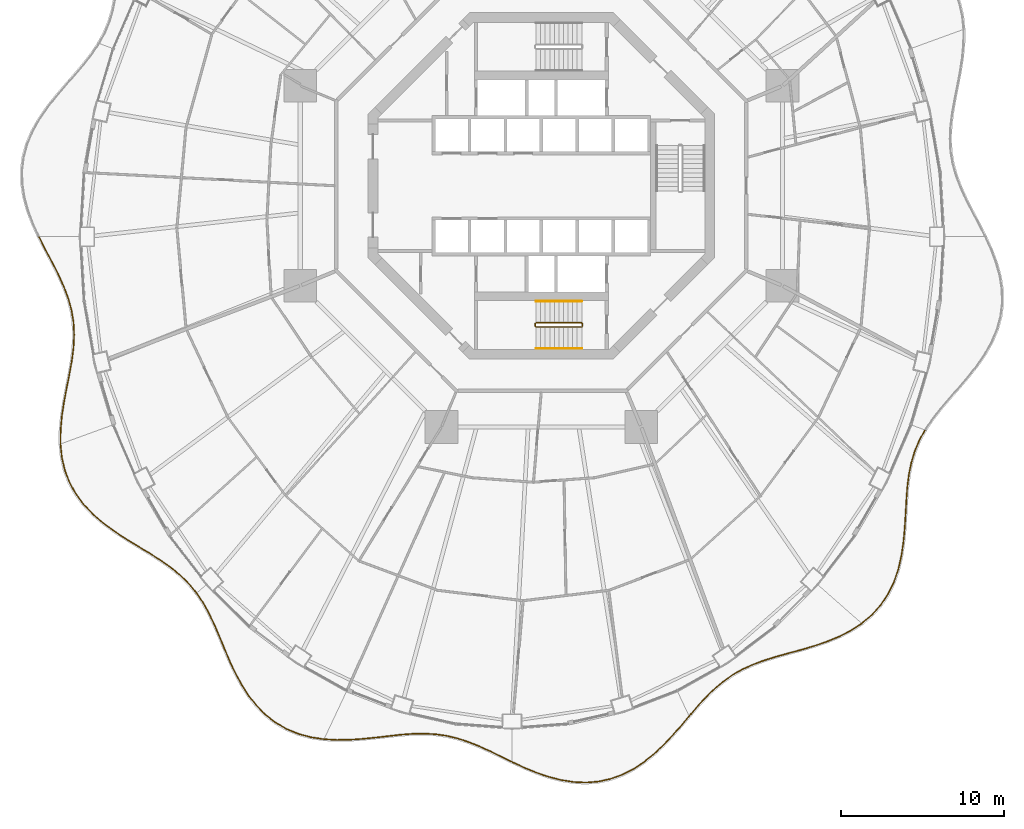
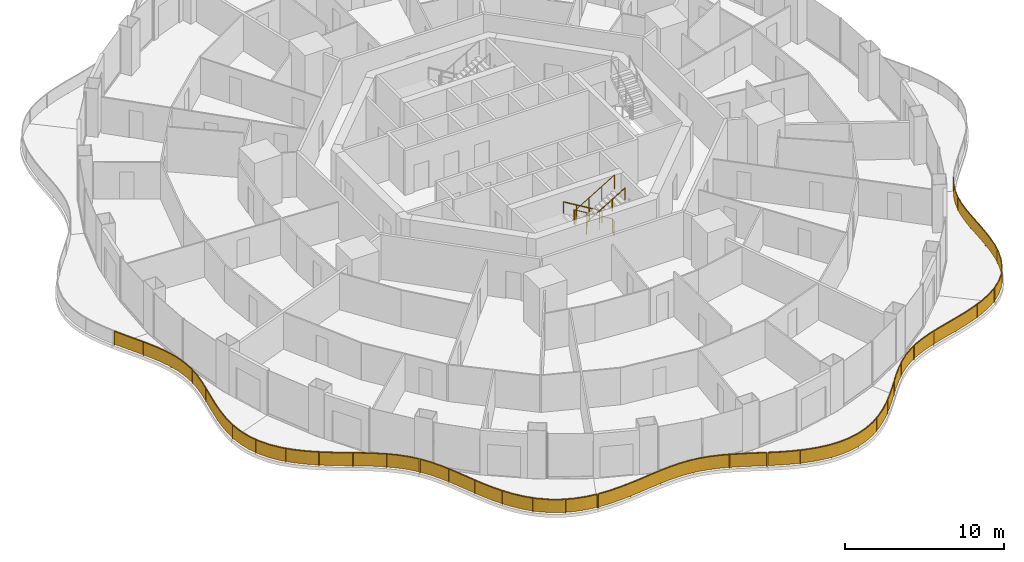
# One storey, part 18 of 20: 10 railings.
"""IFC4 building model written with IfcOpenShell, lengths in metres."""

from ifc_helpers import new_model, si_unit, direction, frame, origin, origin_2d, place, context, subcontext, project, spatial, polyline, rectangle, circle, outline, extrude, material, type_object, element, save


model = new_model("IFC4")

# Units and contexts
model_context = context("Model", 3, precision=1e-05, world=origin(), true_north=direction((0.0, 1.0)))
body_context = subcontext(model_context, "Body", "Model", "MODEL_VIEW")
ifc_project = project(units=[si_unit("LENGTHUNIT", "METRE"), si_unit("AREAUNIT", "SQUARE_METRE"), si_unit("VOLUMEUNIT", "CUBIC_METRE"), si_unit("PLANEANGLEUNIT", "RADIAN"), si_unit("MASSUNIT", "GRAM", prefix="KILO")], contexts=[model_context])

# Site, building, storey
site_placement = place(None, origin())
site = spatial("IfcSite", under=ifc_project, at=site_placement, CompositionType="ELEMENT")
building_placement = place(site_placement, origin())
building = spatial("IfcBuilding", under=site, at=building_placement, Name="Nagisa Residences", CompositionType="ELEMENT")
storey_placement = place(building_placement, frame((0.0, 0.0, 152.89990234375)))
storey = spatial("IfcBuildingStorey", under=building, at=storey_placement, Name="L38", CompositionType="ELEMENT", Elevation=152.89990234375)

# Railings
ifc_material_1 = material(Name="Stainless steel 316", Category="steel")
railing_type_1 = type_object("IfcRailingType", Name="BALCONY GUARD 1100", PredefinedType="BALUSTRADE", material=ifc_material_1)
railing_1_placement = place(storey_placement, frame((-30.781494140625, -3.151611328125, 0.0)))
element("IfcRailing", 1, at=railing_1_placement, inside=storey, type_object=railing_type_1, Name="guard:L38:bal08-0", PredefinedType="BALUSTRADE", context=body_context, shape_type="SweptSolid", body=[
    extrude(outline(polyline([(0.400390625, -0.731689453125), (0.022216796875, 0.01123046875), (-0.022216796875, -0.01123046875), (0.35595703125, -0.754638671875), (0.758544921875, -1.52197265625), (1.141357421875, -2.274169921875), (1.48095703125, -3.01513671875), (1.7587890625, -3.75), (1.960205078125, -4.471923828125), (2.08056640625, -5.215087890625), (2.118896484375, -5.972412109375), (2.08203125, -6.74951171875), (1.982177734375, -7.549072265625), (1.834716796875, -8.35888671875), (1.668701171875, -9.204345703125), (1.505859375, -10.06689453125), (1.371826171875, -10.939453125), (1.291259765625, -11.813720703125), (1.284423828125, -12.631591796875), (1.334228515625, -12.632080078125), (1.341064453125, -11.816162109375), (1.421630859375, -10.94580078125), (1.55517578125, -10.0751953125), (1.718017578125, -9.213623046875), (1.884033203125, -8.3681640625), (2.031494140625, -7.556884765625), (2.1318359375, -6.75390625), (2.169189453125, -5.972412109375), (2.13037109375, -5.209716796875), (2.009033203125, -4.461181640625), (1.806640625, -3.734375), (1.52734375, -2.99560546875), (1.186279296875, -2.252197265625), (0.802978515625, -1.4990234375), (0.400390625, -0.731689453125)])), frame((0.0, 0.0, 1.050048828125)), (0.0, 0.0, 1.0), 0.050048828125),
    extrude(outline(polyline([(0.38427734375, -0.739990234375), (0.00634765625, 0.003173828125), (-0.00634765625, -0.003173828125), (0.3720703125, -0.746337890625), (0.774658203125, -1.513671875), (1.157470703125, -2.26611328125), (1.497802734375, -3.008056640625), (1.776123046875, -3.744384765625), (1.977783203125, -4.468017578125), (2.098388671875, -5.213134765625), (2.136962890625, -5.972412109375), (2.099853515625, -6.751220703125), (2.0, -7.552001953125), (1.8525390625, -8.3623046875), (1.6865234375, -9.207763671875), (1.523681640625, -10.06982421875), (1.389892578125, -10.94189453125), (1.30908203125, -11.814697265625), (1.30224609375, -12.6318359375), (1.31640625, -12.6318359375), (1.3232421875, -11.815185546875), (1.403564453125, -10.943359375), (1.537353515625, -10.072265625), (1.7001953125, -9.210205078125), (1.8662109375, -8.36474609375), (2.013671875, -7.553955078125), (2.114013671875, -6.752197265625), (2.151123046875, -5.972412109375), (2.112548828125, -5.211669921875), (1.991455078125, -4.465087890625), (1.789306640625, -3.739990234375), (1.510498046875, -3.002685546875), (1.170166015625, -2.26025390625), (0.786865234375, -1.50732421875), (0.38427734375, -0.739990234375)])), frame((0.0, 0.0, 0.06005859375)), (0.0, 0.0, 1.0), 0.989990234375),
    extrude(rectangle(XDim=0.0400390625, YDim=0.0400390625, at=origin_2d()), origin(), (0.0, 0.0, 1.0), 1.050048828125),
    extrude(rectangle(XDim=0.0400390625, YDim=0.0400390625, at=origin_2d()), frame((1.0029296875, -1.947265625, 0.0)), (0.0, 0.0, 1.0), 1.050048828125),
    extrude(rectangle(XDim=0.0400390625, YDim=0.0400390625, at=origin_2d()), frame((1.844970703125, -3.965576171875, 0.0)), (0.0, 0.0, 1.0), 1.050048828125),
    extrude(rectangle(XDim=0.0400390625, YDim=0.0400390625, at=origin_2d()), frame((2.13671875, -6.1259765625, 0.0)), (0.0, 0.0, 1.0), 1.050048828125),
    extrude(rectangle(XDim=0.0400390625, YDim=0.0400390625, at=origin_2d()), frame((1.871337890625, -8.29736328125, 0.0)), (0.0, 0.0, 1.0), 1.050048828125),
    extrude(rectangle(XDim=0.0400390625, YDim=0.0400390625, at=origin_2d()), frame((1.47216796875, -10.450927734375, 0.0)), (0.0, 0.0, 1.0), 1.050048828125),
    extrude(rectangle(XDim=0.0400390625, YDim=0.0400390625, at=origin_2d()), frame((1.309326171875, -12.6318359375, 0.0)), (0.0, 0.0, 1.0), 1.050048828125),
])
railing_2_placement = place(storey_placement, frame((-29.46923828125, -15.86083984375, 0.0)))
element("IfcRailing", 2, at=railing_2_placement, inside=storey, type_object=railing_type_1, Name="guard:L38:bal09-0", PredefinedType="BALUSTRADE", context=body_context, shape_type="SweptSolid", body=[
    extrude(outline(polyline([(0.101318359375, -0.766357421875), (0.02490234375, 0.00244140625), (-0.02490234375, -0.00244140625), (0.052001953125, -0.774658203125), (0.2333984375, -1.564208984375), (0.518310546875, -2.315185546875), (0.90625, -3.020751953125), (1.390869140625, -3.67626953125), (1.953857421875, -4.26708984375), (2.5927734375, -4.82080078125), (3.281494140625, -5.330078125), (3.999755859375, -5.802734375), (4.725830078125, -6.250244140625), (5.430908203125, -6.67236328125), (6.114013671875, -7.1083984375), (6.752685546875, -7.559814453125), (7.336669921875, -8.039306640625), (7.861572265625, -8.55810546875), (8.30126953125, -9.092529296875), (8.33984375, -9.060791015625), (7.898681640625, -8.5244140625), (7.370361328125, -8.002197265625), (6.782958984375, -7.519775390625), (6.141845703125, -7.06689453125), (5.457275390625, -6.6298828125), (4.751708984375, -6.207275390625), (4.026611328125, -5.7607421875), (3.310302734375, -5.2890625), (2.6240234375, -4.78173828125), (1.988525390625, -4.23095703125), (1.429443359375, -3.64404296875), (0.94873046875, -2.993896484375), (0.563720703125, -2.294189453125), (0.28125, -1.549560546875), (0.101318359375, -0.766357421875)])), frame((0.0, 0.0, 1.050048828125)), (0.0, 0.0, 1.0), 0.050048828125),
    extrude(outline(polyline([(0.08349609375, -0.769287109375), (0.007080078125, 0.000732421875), (-0.007080078125, -0.000732421875), (0.06982421875, -0.771728515625), (0.25048828125, -1.558837890625), (0.53466796875, -2.3076171875), (0.921630859375, -3.01123046875), (1.40478515625, -3.66455078125), (1.96630859375, -4.254150390625), (2.60400390625, -4.806640625), (3.2919921875, -5.3154296875), (4.009521484375, -5.78759765625), (4.735107421875, -6.23486328125), (5.4404296875, -6.656982421875), (6.1240234375, -7.093505859375), (6.763671875, -7.54541015625), (7.348876953125, -8.02587890625), (7.875, -8.5458984375), (8.315185546875, -9.0810546875), (8.325927734375, -9.072265625), (7.88525390625, -8.53662109375), (7.358154296875, -8.015625), (6.77197265625, -7.5341796875), (6.1318359375, -7.081787109375), (5.44775390625, -6.645263671875), (4.742431640625, -6.22265625), (4.016845703125, -5.77587890625), (3.2998046875, -5.3037109375), (2.61279296875, -4.7958984375), (1.97607421875, -4.243896484375), (1.41552734375, -3.65576171875), (0.933349609375, -3.00341796875), (0.54736328125, -2.3017578125), (0.26416015625, -1.554931640625), (0.08349609375, -0.769287109375)])), frame((0.0, 0.0, 0.06005859375)), (0.0, 0.0, 1.0), 0.989990234375),
    extrude(rectangle(XDim=0.0400390625, YDim=0.0400390625, at=origin_2d()), origin(), (0.0, 0.0, 1.0), 1.050048828125),
    extrude(rectangle(XDim=0.0400390625, YDim=0.0400390625, at=origin_2d()), frame((0.45458984375, -2.0771484375, 0.0)), (0.0, 0.0, 1.0), 1.050048828125),
    extrude(rectangle(XDim=0.0400390625, YDim=0.0400390625, at=origin_2d()), frame((1.603515625, -3.86328125, 0.0)), (0.0, 0.0, 1.0), 1.050048828125),
    extrude(rectangle(XDim=0.0400390625, YDim=0.0400390625, at=origin_2d()), frame((3.220703125, -5.25390625, 0.0)), (0.0, 0.0, 1.0), 1.050048828125),
    extrude(rectangle(XDim=0.0400390625, YDim=0.0400390625, at=origin_2d()), frame((5.024658203125, -6.39990234375, 0.0)), (0.0, 0.0, 1.0), 1.050048828125),
    extrude(rectangle(XDim=0.0400390625, YDim=0.0400390625, at=origin_2d()), frame((6.8095703125, -7.573974609375, 0.0)), (0.0, 0.0, 1.0), 1.050048828125),
    extrude(rectangle(XDim=0.0400390625, YDim=0.0400390625, at=origin_2d()), frame((8.320556640625, -9.07666015625, 0.0)), (0.0, 0.0, 1.0), 1.050048828125),
])
railing_3_placement = place(storey_placement, frame((-21.108154296875, -24.993408203125, 0.0)))
element("IfcRailing", 3, at=railing_3_placement, inside=storey, type_object=railing_type_1, Name="guard:L38:bal10-0", PredefinedType="BALUSTRADE", context=body_context, shape_type="SweptSolid", body=[
    extrude(outline(polyline([(0.392578125, -0.54150390625), (0.020751953125, 0.013916015625), (-0.020751953125, -0.013916015625), (0.349609375, -0.56787109375), (0.703369140625, -1.202880859375), (1.027587890625, -1.881591796875), (1.3359375, -2.59716796875), (1.64306640625, -3.338134765625), (1.9521484375, -4.080810546875), (2.301513671875, -4.830322265625), (2.69189453125, -5.55859375), (3.132568359375, -6.24853515625), (3.631591796875, -6.883544921875), (4.180419921875, -7.441162109375), (4.800537109375, -7.924072265625), (5.48046875, -8.31884765625), (6.211669921875, -8.62060546875), (6.985107421875, -8.830078125), (7.742919921875, -8.94384765625), (7.750244140625, -8.89453125), (6.995361328125, -8.78125), (6.227783203125, -8.5732421875), (5.50244140625, -8.27392578125), (4.828369140625, -7.882568359375), (4.213623046875, -7.403564453125), (3.669189453125, -6.850341796875), (3.173583984375, -6.2197265625), (2.73486328125, -5.533203125), (2.346435546875, -4.807861328125), (1.998046875, -4.060791015625), (1.689453125, -3.319091796875), (1.3818359375, -2.57763671875), (1.072998046875, -1.861083984375), (0.747802734375, -1.179931640625), (0.392578125, -0.54150390625)])), frame((0.0, 0.0, 1.050048828125)), (0.0, 0.0, 1.0), 0.050048828125),
    extrude(outline(polyline([(0.376953125, -0.551025390625), (0.005859375, 0.00390625), (-0.005859375, -0.00390625), (0.365234375, -0.558349609375), (0.719482421875, -1.194580078125), (1.0439453125, -1.874267578125), (1.3525390625, -2.590087890625), (1.659912109375, -3.331298828125), (1.96875, -4.07373046875), (2.317626953125, -4.822265625), (2.707275390625, -5.549560546875), (3.1474609375, -6.23828125), (3.64501953125, -6.87158203125), (4.1923828125, -7.427490234375), (4.810546875, -7.9091796875), (5.48828125, -8.302734375), (6.217529296875, -8.603515625), (6.98876953125, -8.8125), (7.74560546875, -8.926025390625), (7.74755859375, -8.912353515625), (6.99169921875, -8.798828125), (6.221923828125, -8.59033203125), (5.49462890625, -8.2900390625), (4.818359375, -7.8974609375), (4.20166015625, -7.417236328125), (3.65576171875, -6.8623046875), (3.15869140625, -6.22998046875), (2.719482421875, -5.542236328125), (2.330322265625, -4.81591796875), (1.9814453125, -4.06787109375), (1.672607421875, -3.325927734375), (1.365234375, -2.584716796875), (1.056640625, -1.868408203125), (0.731689453125, -1.188232421875), (0.376953125, -0.551025390625)])), frame((0.0, 0.0, 0.06005859375)), (0.0, 0.0, 1.0), 0.989990234375),
    extrude(rectangle(XDim=0.0400390625, YDim=0.0400390625, at=origin_2d()), origin(), (0.0, 0.0, 1.0), 1.050048828125),
    extrude(rectangle(XDim=0.0400390625, YDim=0.0400390625, at=origin_2d()), frame((1.02197265625, -1.81201171875, 0.0)), (0.0, 0.0, 1.0), 1.050048828125),
    extrude(rectangle(XDim=0.0400390625, YDim=0.0400390625, at=origin_2d()), frame((1.833740234375, -3.731201171875, 0.0)), (0.0, 0.0, 1.0), 1.050048828125),
    extrude(rectangle(XDim=0.0400390625, YDim=0.0400390625, at=origin_2d()), frame((2.748779296875, -5.601318359375, 0.0)), (0.0, 0.0, 1.0), 1.050048828125),
    extrude(rectangle(XDim=0.0400390625, YDim=0.0400390625, at=origin_2d()), frame((4.020751953125, -7.2431640625, 0.0)), (0.0, 0.0, 1.0), 1.050048828125),
    extrude(rectangle(XDim=0.0400390625, YDim=0.0400390625, at=origin_2d()), frame((5.73828125, -8.398193359375, 0.0)), (0.0, 0.0, 1.0), 1.050048828125),
    extrude(rectangle(XDim=0.0400390625, YDim=0.0400390625, at=origin_2d()), frame((7.74658203125, -8.919189453125, 0.0)), (0.0, 0.0, 1.0), 1.050048828125),
])
railing_4_placement = place(storey_placement, frame((-13.284423828125, -33.919677734375, 0.0)))
element("IfcRailing", 4, at=railing_4_placement, inside=storey, type_object=railing_type_1, Name="guard:L38:bal11-0", PredefinedType="BALUSTRADE", context=body_context, shape_type="SweptSolid", body=[
    extrude(outline(polyline([(0.746337890625, -0.016357421875), (0.00146484375, 0.02490234375), (-0.00146484375, -0.02490234375), (0.745361328125, -0.066650390625), (1.547607421875, -0.0546875), (2.348388671875, -0.00048828125), (3.138916015625, 0.079833984375), (3.9130859375, 0.16845703125), (4.649169921875, 0.2529296875), (5.379150390625, 0.306640625), (6.086669921875, 0.320556640625), (6.774169921875, 0.28466796875), (7.4462890625, 0.191650390625), (8.091552734375, 0.04150390625), (8.751220703125, -0.16943359375), (9.414794921875, -0.431884765625), (10.08837890625, -0.736328125), (10.7763671875, -1.068115234375), (11.439453125, -1.393310546875), (11.46142578125, -1.348388671875), (10.79833984375, -1.023193359375), (10.109375, -0.69091796875), (9.434326171875, -0.385986328125), (8.768310546875, -0.1220703125), (8.104736328125, 0.08984375), (7.45556640625, 0.240966796875), (6.779052734375, 0.33447265625), (6.087646484375, 0.370849609375), (5.376708984375, 0.3564453125), (4.644287109375, 0.302734375), (3.9072265625, 0.21826171875), (3.133544921875, 0.129638671875), (2.343994140625, 0.04931640625), (1.545654296875, -0.0048828125), (0.746337890625, -0.016357421875)])), frame((0.0, 0.0, 1.050048828125)), (0.0, 0.0, 1.0), 0.050048828125),
    extrude(outline(polyline([(0.74609375, -0.034423828125), (0.00048828125, 0.007080078125), (-0.00048828125, -0.007080078125), (0.74560546875, -0.048583984375), (1.546875, -0.036865234375), (2.3466796875, 0.017333984375), (3.136962890625, 0.09765625), (3.910888671875, 0.1865234375), (4.6474609375, 0.270751953125), (5.378173828125, 0.324462890625), (6.087158203125, 0.338623046875), (6.77587890625, 0.302490234375), (7.44970703125, 0.20947265625), (8.09619140625, 0.058837890625), (8.75732421875, -0.15234375), (9.421875, -0.415283203125), (10.095947265625, -0.719970703125), (10.7841796875, -1.052001953125), (11.447265625, -1.377197265625), (11.45361328125, -1.364501953125), (10.79052734375, -1.039306640625), (10.101806640625, -0.707275390625), (9.42724609375, -0.402587890625), (8.76220703125, -0.13916015625), (8.10009765625, 0.072509765625), (7.4521484375, 0.22314453125), (6.77734375, 0.316650390625), (6.087158203125, 0.352783203125), (5.377685546875, 0.338623046875), (4.64599609375, 0.284912109375), (3.909423828125, 0.2001953125), (3.135498046875, 0.11181640625), (2.345703125, 0.031494140625), (1.54638671875, -0.022705078125), (0.74609375, -0.034423828125)])), frame((0.0, 0.0, 0.06005859375)), (0.0, 0.0, 1.0), 0.989990234375),
    extrude(rectangle(XDim=0.0400390625, YDim=0.0400390625, at=origin_2d()), origin(), (0.0, 0.0, 1.0), 1.050048828125),
    extrude(rectangle(XDim=0.0400390625, YDim=0.0400390625, at=origin_2d()), frame((2.355712890625, 0.025390625, 0.0)), (0.0, 0.0, 1.0), 1.050048828125),
    extrude(rectangle(XDim=0.0400390625, YDim=0.0400390625, at=origin_2d()), frame((4.70068359375, 0.28173828125, 0.0)), (0.0, 0.0, 1.0), 1.050048828125),
    extrude(rectangle(XDim=0.0400390625, YDim=0.0400390625, at=origin_2d()), frame((7.053955078125, 0.271240234375, 0.0)), (0.0, 0.0, 1.0), 1.050048828125),
    extrude(rectangle(XDim=0.0400390625, YDim=0.0400390625, at=origin_2d()), frame((9.316650390625, -0.3662109375, 0.0)), (0.0, 0.0, 1.0), 1.050048828125),
    extrude(rectangle(XDim=0.0400390625, YDim=0.0400390625, at=origin_2d()), frame((11.450439453125, -1.370849609375, 0.0)), (0.0, 0.0, 1.0), 1.050048828125),
])
railing_5_placement = place(storey_placement, frame((-1.765625, -35.324951171875, 0.0)))
element("IfcRailing", 5, at=railing_5_placement, inside=storey, type_object=railing_type_1, Name="guard:L38:bal12-0", PredefinedType="BALUSTRADE", context=body_context, shape_type="SweptSolid", body=[
    extrude(outline(polyline([(0.69189453125, -0.295654296875), (0.010498046875, 0.022705078125), (-0.010498046875, -0.022705078125), (0.671875, -0.341552734375), (1.416748046875, -0.650634765625), (2.177490234375, -0.9140625), (2.950439453125, -1.11474609375), (3.72705078125, -1.23828125), (4.4873046875, -1.275146484375), (5.253662109375, -1.213134765625), (6.002197265625, -1.0517578125), (6.725830078125, -0.79296875), (7.41845703125, -0.443115234375), (8.059326171875, -0.017333984375), (8.68017578125, 0.48095703125), (9.265380859375, 1.0302734375), (9.818115234375, 1.61328125), (10.343994140625, 2.211181640625), (10.818359375, 2.773681640625), (10.7802734375, 2.805908203125), (10.305908203125, 2.243896484375), (9.781005859375, 1.64697265625), (9.230224609375, 1.06591796875), (8.6474609375, 0.5185546875), (8.029541015625, 0.023193359375), (7.39306640625, -0.399658203125), (6.705810546875, -0.7470703125), (5.988525390625, -1.00341796875), (5.246337890625, -1.163330078125), (4.486328125, -1.224853515625), (3.732421875, -1.1884765625), (2.960693359375, -1.06591796875), (2.192138671875, -0.8662109375), (1.434326171875, -0.603759765625), (0.69189453125, -0.295654296875)])), frame((0.0, 0.0, 1.050048828125)), (0.0, 0.0, 1.0), 0.050048828125),
    extrude(outline(polyline([(0.684814453125, -0.312255859375), (0.0029296875, 0.00634765625), (-0.0029296875, -0.00634765625), (0.678955078125, -0.324951171875), (1.423095703125, -0.6337890625), (2.182861328125, -0.896728515625), (2.9541015625, -1.09716796875), (3.72900390625, -1.220458984375), (4.48681640625, -1.257080078125), (5.2509765625, -1.195068359375), (5.997314453125, -1.034423828125), (6.718505859375, -0.7763671875), (7.4091796875, -0.427490234375), (8.048583984375, -0.002685546875), (8.66845703125, 0.494384765625), (9.252685546875, 1.043212890625), (9.8046875, 1.62548828125), (10.330322265625, 2.222900390625), (10.8046875, 2.785400390625), (10.7939453125, 2.794189453125), (10.319580078125, 2.232177734375), (9.79443359375, 1.634765625), (9.242919921875, 1.052978515625), (8.6591796875, 0.505126953125), (8.040283203125, 0.008544921875), (7.40234375, -0.415283203125), (6.713134765625, -0.763671875), (5.993408203125, -1.020751953125), (5.2490234375, -1.181396484375), (4.48681640625, -1.242919921875), (3.73046875, -1.206298828125), (2.95703125, -1.08349609375), (2.186767578125, -0.883544921875), (1.427978515625, -0.62060546875), (0.684814453125, -0.312255859375)])), frame((0.0, 0.0, 0.06005859375)), (0.0, 0.0, 1.0), 0.989990234375),
    extrude(rectangle(XDim=0.0400390625, YDim=0.0400390625, at=origin_2d()), origin(), (0.0, 0.0, 1.0), 1.050048828125),
    extrude(rectangle(XDim=0.0400390625, YDim=0.0400390625, at=origin_2d()), frame((1.916015625, -0.797119140625, 0.0)), (0.0, 0.0, 1.0), 1.050048828125),
    extrude(rectangle(XDim=0.0400390625, YDim=0.0400390625, at=origin_2d()), frame((3.941650390625, -1.2236328125, 0.0)), (0.0, 0.0, 1.0), 1.050048828125),
    extrude(rectangle(XDim=0.0400390625, YDim=0.0400390625, at=origin_2d()), frame((5.998046875, -1.026611328125, 0.0)), (0.0, 0.0, 1.0), 1.050048828125),
    extrude(rectangle(XDim=0.0400390625, YDim=0.0400390625, at=origin_2d()), frame((7.856689453125, -0.121826171875, 0.0)), (0.0, 0.0, 1.0), 1.050048828125),
    extrude(rectangle(XDim=0.0400390625, YDim=0.0400390625, at=origin_2d()), frame((9.42431640625, 1.234130859375, 0.0)), (0.0, 0.0, 1.0), 1.050048828125),
    extrude(rectangle(XDim=0.0400390625, YDim=0.0400390625, at=origin_2d()), frame((10.79931640625, 2.789794921875, 0.0)), (0.0, 0.0, 1.0), 1.050048828125),
])
railing_6_placement = place(storey_placement, frame((9.081298828125, -32.476318359375, 0.0)))
element("IfcRailing", 6, at=railing_6_placement, inside=storey, type_object=railing_type_1, Name="guard:L38:bal13-0", PredefinedType="BALUSTRADE", context=body_context, shape_type="SweptSolid", body=[
    extrude(outline(polyline([(0.46435546875, 0.581298828125), (-0.01904296875, 0.016357421875), (0.01904296875, -0.016357421875), (0.501953125, 0.548095703125), (1.015625, 1.110107421875), (1.5400390625, 1.62451171875), (2.08544921875, 2.084228515625), (2.661376953125, 2.486083984375), (3.259521484375, 2.822509765625), (3.912353515625, 3.1181640625), (4.605712890625, 3.373291015625), (5.33642578125, 3.60009765625), (6.097412109375, 3.8134765625), (6.866455078125, 4.01904296875), (7.65478515625, 4.25341796875), (8.435546875, 4.521240234375), (9.193359375, 4.83544921875), (9.912109375, 5.206787109375), (10.537841796875, 5.61474609375), (10.510498046875, 5.65673828125), (9.88671875, 5.250244140625), (9.17236328125, 4.880859375), (8.41796875, 4.568115234375), (7.6396484375, 4.30126953125), (6.852783203125, 4.0673828125), (6.084228515625, 3.86181640625), (5.322265625, 3.64794921875), (4.589599609375, 3.420654296875), (3.893310546875, 3.16455078125), (3.237060546875, 2.867431640625), (2.634521484375, 2.528564453125), (2.05517578125, 2.123779296875), (1.50634765625, 1.66162109375), (0.9794921875, 1.144775390625), (0.46435546875, 0.581298828125)])), frame((0.0, 0.0, 1.050048828125)), (0.0, 0.0, 1.0), 0.050048828125),
    extrude(outline(polyline([(0.47802734375, 0.5693359375), (-0.00537109375, 0.004638671875), (0.00537109375, -0.004638671875), (0.48828125, 0.56005859375), (1.002685546875, 1.12255859375), (1.52783203125, 1.637939453125), (2.074462890625, 2.098388671875), (2.651611328125, 2.50146484375), (3.25146484375, 2.838623046875), (3.905517578125, 3.134765625), (4.599853515625, 3.390380859375), (5.331298828125, 3.6171875), (6.0927734375, 3.830810546875), (6.861572265625, 4.036376953125), (7.6494140625, 4.270751953125), (8.42919921875, 4.5380859375), (9.185791015625, 4.851806640625), (9.90283203125, 5.222412109375), (10.528076171875, 5.6298828125), (10.520263671875, 5.6416015625), (9.89599609375, 5.234619140625), (9.179931640625, 4.864501953125), (8.42431640625, 4.55126953125), (7.64501953125, 4.283935546875), (6.857666015625, 4.050048828125), (6.0888671875, 3.844482421875), (5.327392578125, 3.630859375), (4.595458984375, 3.403564453125), (3.900146484375, 3.14794921875), (3.2451171875, 2.851318359375), (2.644287109375, 2.51318359375), (2.066162109375, 2.109619140625), (1.5185546875, 1.648193359375), (0.992431640625, 1.13232421875), (0.47802734375, 0.5693359375)])), frame((0.0, 0.0, 0.06005859375)), (0.0, 0.0, 1.0), 0.989990234375),
    extrude(rectangle(XDim=0.0400390625, YDim=0.0400390625, at=origin_2d()), origin(), (0.0, 0.0, 1.0), 1.050048828125),
    extrude(rectangle(XDim=0.0400390625, YDim=0.0400390625, at=origin_2d()), frame((1.371826171875, 1.49462890625, 0.0)), (0.0, 0.0, 1.0), 1.050048828125),
    extrude(rectangle(XDim=0.0400390625, YDim=0.0400390625, at=origin_2d()), frame((2.99462890625, 2.702392578125, 0.0)), (0.0, 0.0, 1.0), 1.050048828125),
    extrude(rectangle(XDim=0.0400390625, YDim=0.0400390625, at=origin_2d()), frame((4.864990234375, 3.47998046875, 0.0)), (0.0, 0.0, 1.0), 1.050048828125),
    extrude(rectangle(XDim=0.0400390625, YDim=0.0400390625, at=origin_2d()), frame((6.818115234375, 4.0322265625, 0.0)), (0.0, 0.0, 1.0), 1.050048828125),
    extrude(rectangle(XDim=0.0400390625, YDim=0.0400390625, at=origin_2d()), frame((8.74169921875, 4.67529296875, 0.0)), (0.0, 0.0, 1.0), 1.050048828125),
    extrude(rectangle(XDim=0.0400390625, YDim=0.0400390625, at=origin_2d()), frame((10.524169921875, 5.6357421875, 0.0)), (0.0, 0.0, 1.0), 1.050048828125),
])
railing_7_placement = place(storey_placement, frame((19.667724609375, -26.794677734375, 0.0)))
element("IfcRailing", 7, at=railing_7_placement, inside=storey, type_object=railing_type_1, Name="guard:L38:bal14-0", PredefinedType="BALUSTRADE", context=body_context, shape_type="SweptSolid", body=[
    extrude(outline(polyline([(0.57177734375, 0.515380859375), (-0.01611328125, 0.01904296875), (0.01611328125, -0.01904296875), (0.60693359375, 0.479248046875), (1.1494140625, 1.083984375), (1.6015625, 1.75927734375), (1.961669921875, 2.496337890625), (2.2333984375, 3.283447265625), (2.41845703125, 4.09619140625), (2.54638671875, 4.944091796875), (2.62646484375, 5.800048828125), (2.67919921875, 6.65087890625), (2.72607421875, 7.485107421875), (2.781005859375, 8.280029296875), (2.877197265625, 9.055908203125), (3.024658203125, 9.796142578125), (3.2353515625, 10.501953125), (3.5166015625, 11.176025390625), (3.85107421875, 11.78857421875), (3.80712890625, 11.8125), (3.47119140625, 11.197509765625), (3.18798828125, 10.5185546875), (2.975830078125, 9.808349609375), (2.827880859375, 9.063720703125), (2.731201171875, 8.284912109375), (2.67626953125, 7.488037109375), (2.62939453125, 6.65380859375), (2.57666015625, 5.803955078125), (2.49658203125, 4.949951171875), (2.369140625, 4.10546875), (2.18505859375, 3.297119140625), (1.915283203125, 2.515380859375), (1.55810546875, 1.7841796875), (1.10986328125, 1.11474609375), (0.57177734375, 0.515380859375)])), frame((0.0, 0.0, 1.050048828125)), (0.0, 0.0, 1.0), 0.050048828125),
    extrude(outline(polyline([(0.58447265625, 0.50244140625), (-0.00439453125, 0.00537109375), (0.00439453125, -0.00537109375), (0.59423828125, 0.4921875), (1.13525390625, 1.094970703125), (1.5859375, 1.768310546875), (1.945068359375, 2.503173828125), (2.216064453125, 3.288330078125), (2.400634765625, 4.099609375), (2.5283203125, 4.9462890625), (2.608642578125, 5.801513671875), (2.661376953125, 6.65185546875), (2.708251953125, 7.486083984375), (2.76318359375, 8.28173828125), (2.859375, 9.05859375), (3.007080078125, 9.800537109375), (3.21826171875, 10.5078125), (3.500244140625, 11.183837890625), (3.835205078125, 11.797119140625), (3.822998046875, 11.803955078125), (3.487548828125, 11.189697265625), (3.205078125, 10.5126953125), (2.993408203125, 9.803955078125), (2.845703125, 9.06103515625), (2.7490234375, 8.283203125), (2.694091796875, 7.487060546875), (2.647216796875, 6.65283203125), (2.594482421875, 5.802490234375), (2.5146484375, 4.94775390625), (2.386962890625, 4.10205078125), (2.202392578125, 3.292236328125), (1.931884765625, 2.508544921875), (1.57373046875, 1.775146484375), (1.1240234375, 1.103759765625), (0.58447265625, 0.50244140625)])), frame((0.0, 0.0, 0.06005859375)), (0.0, 0.0, 1.0), 0.989990234375),
    extrude(rectangle(XDim=0.0400390625, YDim=0.0400390625, at=origin_2d()), origin(), (0.0, 0.0, 1.0), 1.050048828125),
    extrude(rectangle(XDim=0.0400390625, YDim=0.0400390625, at=origin_2d()), frame((1.435546875, 1.55615234375, 0.0)), (0.0, 0.0, 1.0), 1.050048828125),
    extrude(rectangle(XDim=0.0400390625, YDim=0.0400390625, at=origin_2d()), frame((2.2587890625, 3.508056640625, 0.0)), (0.0, 0.0, 1.0), 1.050048828125),
    extrude(rectangle(XDim=0.0400390625, YDim=0.0400390625, at=origin_2d()), frame((2.58349609375, 5.6103515625, 0.0)), (0.0, 0.0, 1.0), 1.050048828125),
    extrude(rectangle(XDim=0.0400390625, YDim=0.0400390625, at=origin_2d()), frame((2.71826171875, 7.73583984375, 0.0)), (0.0, 0.0, 1.0), 1.050048828125),
    extrude(rectangle(XDim=0.0400390625, YDim=0.0400390625, at=origin_2d()), frame((3.01220703125, 9.842041015625, 0.0)), (0.0, 0.0, 1.0), 1.050048828125),
    extrude(rectangle(XDim=0.0400390625, YDim=0.0400390625, at=origin_2d()), frame((3.8291015625, 11.800537109375, 0.0)), (0.0, 0.0, 1.0), 1.050048828125),
])
ifc_material_2 = material(Name="Stainless steel", Category="steel")
railing_type_2 = type_object("IfcRailingType", Name="Stair guard 1100", PredefinedType="GUARDRAIL", material=ifc_material_2)
railing_8_placement = place(storey_placement, frame((2.52490234375, -8.599609375, 0.0)))
element("IfcRailing", 8, at=railing_8_placement, inside=storey, type_object=railing_type_2, Name="L38 ST-S stair guard 1", PredefinedType="GUARDRAIL", context=body_context, shape_type="SweptSolid", body=[
    extrude(circle(Radius=0.02392578125, at=origin_2d()), frame((0.0, 0.0, 1.076171875), z_axis=(0.0, 1.0, 0.0), x_axis=(-1.0, 0.0, 0.0)), (0.0, 0.0, 1.0), 0.14990234375),
    extrude(circle(Radius=0.02392578125, at=origin_2d()), frame((0.0, 0.14990234375, 1.076171875), z_axis=(-0.273006030465, 0.27434429532, 0.922064485248), x_axis=(-0.708833529934, -0.705375805398, 0.0)), (0.0, 0.0, 1.0), 0.182373046875),
    extrude(circle(Radius=0.02392578125, at=origin_2d()), frame((-0.0498046875, 0.199951171875, 1.244140625), z_axis=(-0.857242210791, 0.0, 0.514913383045), x_axis=(0.0, -1.0, 0.0)), (0.0, 0.0, 1.0), 3.266357421875),
    extrude(circle(Radius=0.02392578125, at=origin_2d()), frame((-2.849853515625, 0.199951171875, 2.92626953125), z_axis=(-0.707106781187, -0.707106781187, 0.0), x_axis=(0.707106781187, -0.707106781187, 0.0)), (0.0, 0.0, 1.0), 0.07080078125),
    extrude(circle(Radius=0.02392578125, at=origin_2d()), frame((-2.89990234375, 0.14990234375, 2.92626953125), z_axis=(0.0, -1.0, 0.0), x_axis=(1.0, 0.0, 0.0)), (0.0, 0.0, 1.0), 0.14990234375),
    extrude(circle(Radius=0.02392578125, at=origin_2d()), frame((-2.89990234375, 0.0, 2.92626953125), z_axis=(0.274243871929, -0.274243871929, 0.92172696468), x_axis=(0.707106781187, 0.707106781187, 0.0)), (0.0, 0.0, 1.0), 0.1826171875),
    extrude(circle(Radius=0.02392578125, at=origin_2d()), frame((-2.849853515625, -0.050048828125, 3.09423828125), z_axis=(0.857242210791, 0.0, 0.514913383045), x_axis=(0.0, 1.0, 0.0)), (0.0, 0.0, 1.0), 3.266357421875),
    extrude(circle(Radius=0.02099609375, at=origin_2d()), origin(), (0.0, 0.0, 1.0), 1.052001953125),
    extrude(circle(Radius=0.02099609375, at=origin_2d()), frame((0.0, 0.14990234375, 0.0)), (0.0, 0.0, 1.0), 1.052001953125),
    extrude(circle(Radius=0.02099609375, at=origin_2d()), frame((-0.0498046875, 0.199951171875, 0.168212890625)), (0.0, 0.0, 1.0), 1.052001953125),
    extrude(circle(Radius=0.02099609375, at=origin_2d()), frame((-0.983154296875, 0.199951171875, 0.728759765625)), (0.0, 0.0, 1.0), 1.052001953125),
    extrude(circle(Radius=0.02099609375, at=origin_2d()), frame((-1.91650390625, 0.199951171875, 1.28955078125)), (0.0, 0.0, 1.0), 1.052001953125),
    extrude(circle(Radius=0.02099609375, at=origin_2d()), frame((-2.849853515625, 0.199951171875, 1.85009765625)), (0.0, 0.0, 1.0), 1.052001953125),
    extrude(circle(Radius=0.02099609375, at=origin_2d()), frame((-2.89990234375, 0.14990234375, 1.85009765625)), (0.0, 0.0, 1.0), 1.052001953125),
    extrude(circle(Radius=0.02099609375, at=origin_2d()), frame((-2.89990234375, 0.0, 1.85009765625)), (0.0, 0.0, 1.0), 1.052001953125),
    extrude(circle(Radius=0.02099609375, at=origin_2d()), frame((-2.849853515625, -0.050048828125, 2.018310546875)), (0.0, 0.0, 1.0), 1.052001953125),
    extrude(circle(Radius=0.02099609375, at=origin_2d()), frame((-1.91650390625, -0.050048828125, 2.578857421875)), (0.0, 0.0, 1.0), 1.052001953125),
    extrude(circle(Radius=0.02099609375, at=origin_2d()), frame((-0.983154296875, -0.050048828125, 3.1396484375)), (0.0, 0.0, 1.0), 1.052001953125),
    extrude(circle(Radius=0.02099609375, at=origin_2d()), frame((-0.0498046875, -0.050048828125, 3.7001953125)), (0.0, 0.0, 1.0), 1.052001953125),
])
ifc_material_3 = material(Name="Stainless steel", Category="steel")
railing_type_3 = type_object("IfcRailingType", Name="Stair handrail 900", PredefinedType="HANDRAIL", material=ifc_material_3)
railing_9_placement = place(storey_placement, frame((2.47509765625, -7.07470703125, 0.168212890625)))
element("IfcRailing", 9, at=railing_9_placement, inside=storey, type_object=railing_type_3, Name="L38 ST-S stair handrail 1", PredefinedType="HANDRAIL", context=body_context, shape_type="SweptSolid", body=[
    extrude(circle(Radius=0.02392578125, at=origin_2d()), frame((0.0, 0.0, 0.8759765625), z_axis=(-0.857242210791, 0.0, 0.514913383045), x_axis=(0.0, -1.0, 0.0)), (0.0, 0.0, 1.0), 3.266357421875),
    extrude(circle(Radius=0.02099609375, at=origin_2d()), origin(), (0.0, 0.0, 1.0), 0.851806640625),
    extrude(circle(Radius=0.02099609375, at=origin_2d()), frame((-0.933349609375, 0.0, 0.560546875)), (0.0, 0.0, 1.0), 0.851806640625),
    extrude(circle(Radius=0.02099609375, at=origin_2d()), frame((-1.86669921875, 0.0, 1.121337890625)), (0.0, 0.0, 1.0), 0.851806640625),
    extrude(circle(Radius=0.02099609375, at=origin_2d()), frame((-2.800048828125, 0.0, 1.681884765625)), (0.0, 0.0, 1.0), 0.851806640625),
])
railing_10_placement = place(storey_placement, frame((-0.324951171875, -9.974609375, 2.018310546875)))
element("IfcRailing", 10, at=railing_10_placement, inside=storey, type_object=railing_type_3, Name="L38 ST-S stair handrail 2", PredefinedType="HANDRAIL", context=body_context, shape_type="SweptSolid", body=[
    extrude(circle(Radius=0.02392578125, at=origin_2d()), frame((0.0, 0.0, 0.8759765625), z_axis=(0.857242210791, 0.0, 0.514913383045), x_axis=(0.0, 1.0, 0.0)), (0.0, 0.0, 1.0), 3.266357421875),
    extrude(circle(Radius=0.02099609375, at=origin_2d()), origin(), (0.0, 0.0, 1.0), 0.851806640625),
    extrude(circle(Radius=0.02099609375, at=origin_2d()), frame((0.933349609375, 0.0, 0.560546875)), (0.0, 0.0, 1.0), 0.851806640625),
    extrude(circle(Radius=0.02099609375, at=origin_2d()), frame((1.86669921875, 0.0, 1.121337890625)), (0.0, 0.0, 1.0), 0.851806640625),
    extrude(circle(Radius=0.02099609375, at=origin_2d()), frame((2.800048828125, 0.0, 1.681884765625)), (0.0, 0.0, 1.0), 0.851806640625),
])

save(model, "model.ifc")
